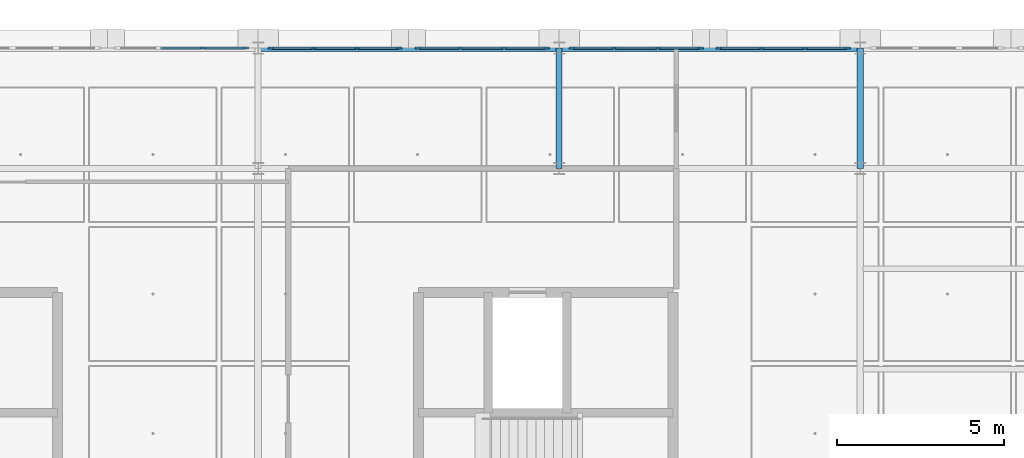
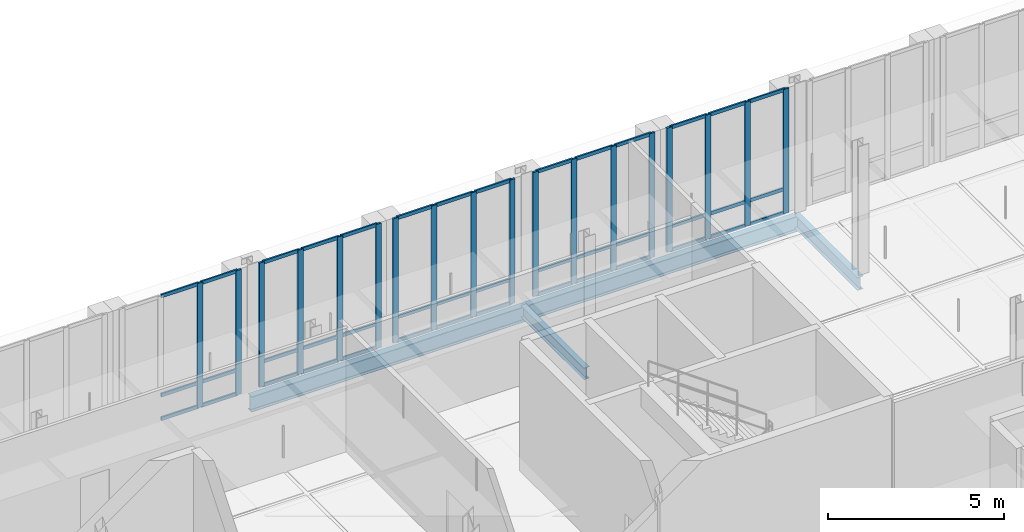
# One storey, part 52 of 130: 60 members, 4 beams, 5 elements without a shape of their own.
"""IFC4 building model written with IfcOpenShell, lengths in metres."""

import ifcopenshell
import ifcopenshell.guid

model = None  # the IFC model being written
_history = None  # IfcOwnerHistory: only IFC2X3 demands one
_inside = {}  # id of a spatial element -> (the spatial element, [elements in it])
_under = {}  # id of a project, library or spatial element -> (it, [spatial elements below it])
_declared = {}  # id of a project -> (the project, [libraries it declares])
_typed = {}  # id of a type object -> (the type object, [elements of that type])
_made_of = {}  # id of a material, layer set ... -> (it, [elements and type objects made of it])


def new_model(schema):
    """Start an empty IFC model of exactly this schema.

    Asked for "IFC4X3", IfcOpenShell would pick the latest addendum, in which some entities
    have other attributes; the version numbers below select the first issue.
    IFC2X3 requires an IfcOwnerHistory on every rooted entity: one is made here for all.
    """
    global model, _history
    if schema == "IFC4X3":
        model = ifcopenshell.file(schema_version=(4, 3, 0, 0))
    else:
        model = ifcopenshell.file(schema=schema)
    _inside.clear()
    _under.clear()
    _declared.clear()
    _typed.clear()
    _made_of.clear()
    _history = None
    if model.schema == "IFC2X3":
        org = make("IfcOrganization", Name="unknown")
        user = make(
            "IfcPersonAndOrganization",
            ThePerson=make("IfcPerson", FamilyName="unknown"),
            TheOrganization=org,
        )
        app = make(
            "IfcApplication",
            ApplicationDeveloper=org,
            Version="unknown",
            ApplicationFullName="unknown",
            ApplicationIdentifier="unknown",
        )
        _history = make(
            "IfcOwnerHistory",
            OwningUser=user,
            OwningApplication=app,
            ChangeAction="ADDED",
            CreationDate=0,
        )
    return model


def make(cls, **values):
    """One entity of the class cls with the attributes given. An attribute that is None is left unset."""
    return model.create_entity(
        cls, **{name: value for name, value in values.items() if value is not None}
    )


def rooted(cls, **values):
    """An entity with a GlobalId (a new one), such as an element, a storey or a relation."""
    return make(cls, GlobalId=ifcopenshell.guid.new(), OwnerHistory=_history, **values)


def si_unit(unit_type, name, prefix=None):
    """IfcSIUnit, for example si_unit("LENGTHUNIT", "METRE", prefix="MILLI")."""
    return make("IfcSIUnit", UnitType=unit_type, Prefix=prefix, Name=name)


def assignment(units):
    """IfcUnitAssignment: the units of a project."""
    return None if units is None else make("IfcUnitAssignment", Units=units)


def point(xyz):
    """IfcCartesianPoint."""
    return None if xyz is None else make("IfcCartesianPoint", Coordinates=xyz)


def direction(xyz):
    """IfcDirection."""
    return None if xyz is None else make("IfcDirection", DirectionRatios=xyz)


def frame(location, z_axis=None, x_axis=None):
    """IfcAxis2Placement3D, a coordinate frame: its origin and axes. An axis left out is left unset."""
    return make(
        "IfcAxis2Placement3D",
        Location=point(location),
        Axis=direction(z_axis),
        RefDirection=direction(x_axis),
    )


def frame_2d(location, x_axis=None):
    """IfcAxis2Placement2D, a coordinate frame in the plane: its origin and x axis."""
    return make(
        "IfcAxis2Placement2D", Location=point(location), RefDirection=direction(x_axis)
    )


def origin():
    """The frame at (0, 0, 0) with its axes left unset."""
    return frame((0.0, 0.0, 0.0))


def origin_2d():
    """The frame at (0, 0) in the plane with its x axis left unset."""
    return frame_2d((0.0, 0.0))


def place(relative_to, where):
    """IfcLocalPlacement: puts the frame where relative to a parent placement (None: the world)."""
    return make(
        "IfcLocalPlacement", PlacementRelTo=relative_to, RelativePlacement=where
    )


def context(
    kind, dimensions, precision=None, world=None, true_north=None, identifier=None
):
    """IfcGeometricRepresentationContext, for example the 3D "Model" context."""
    return make(
        "IfcGeometricRepresentationContext",
        ContextIdentifier=identifier,
        ContextType=kind,
        CoordinateSpaceDimension=dimensions,
        Precision=precision,
        WorldCoordinateSystem=world,
        TrueNorth=true_north,
    )


def subcontext(parent, identifier, kind, view, scale=None):
    """IfcGeometricRepresentationSubContext, for example "Body" below "Model"."""
    return make(
        "IfcGeometricRepresentationSubContext",
        ContextIdentifier=identifier,
        ContextType=kind,
        ParentContext=parent,
        TargetScale=scale,
        TargetView=view,
    )


def project(units=None, contexts=None):
    """IfcProject with its units and contexts."""
    return rooted(
        "IfcProject",
        Name="project",
        RepresentationContexts=contexts,
        UnitsInContext=assignment(units),
    )


def spatial(cls, under=None, at=None, **own):
    """A site, building, storey or space (cls), placed at a placement, below another one or the project."""
    s = rooted(cls, ObjectPlacement=at, **own)
    if under is not None:
        _under.setdefault(under.id(), (under, []))[1].append(s)
    return s


def profile(cls, at=None, kind="AREA", **sizes):
    """A parametric profile (cls). Its sizes go by their IFC names, for example OverallWidth=200.0."""
    return make(cls, ProfileType=kind, Position=at, **sizes)


def rectangle(**sizes):
    """IfcRectangleProfileDef."""
    return profile("IfcRectangleProfileDef", **sizes)


def i_section(**sizes):
    """IfcIShapeProfileDef."""
    return profile("IfcIShapeProfileDef", **sizes)


def extrude(swept, where, along, depth):
    """IfcExtrudedAreaSolid: the profile swept, set in the frame where, extruded along a direction by depth."""
    return make(
        "IfcExtrudedAreaSolid",
        SweptArea=swept,
        Position=where,
        ExtrudedDirection=direction(along),
        Depth=depth,
    )


def shape(context_of_items, identifier, shape_type, items):
    """IfcShapeRepresentation: the items that make up one representation, for example the "Body"."""
    return make(
        "IfcShapeRepresentation",
        ContextOfItems=context_of_items,
        RepresentationIdentifier=identifier,
        RepresentationType=shape_type,
        Items=items,
    )


def material(Name=None, Category=None):
    """IfcMaterial."""
    return make("IfcMaterial", Name=Name, Category=Category)


def material_profile(
    of_material, cross_section, Name=None, Category=None, Priority=None
):
    """IfcMaterialProfile: a cross section and its material."""
    return make(
        "IfcMaterialProfile",
        Name=Name,
        Material=of_material,
        Profile=cross_section,
        Priority=Priority,
        Category=Category,
    )


def profile_set(profiles, Name=None, composite=None):
    """IfcMaterialProfileSet."""
    return make(
        "IfcMaterialProfileSet",
        Name=Name,
        MaterialProfiles=profiles,
        CompositeProfile=composite,
    )


def made_of(thing, what):
    """Note that an element or type object is made of a material, layer set ...; save() writes the relation."""
    if what is not None:
        _made_of.setdefault(what.id(), (what, []))[1].append(thing)
    return thing


def type_object(cls, material=None, **own):
    """A type object (cls), such as IfcWallType, which elements share."""
    return made_of(rooted(cls, **own), material)


def element(
    cls,
    number,
    at=None,
    inside=None,
    cuts=None,
    type_object=None,
    material=None,
    context=None,
    identifier="Body",
    shape_type=None,
    held_by="IfcProductDefinitionShape",
    body=None,
    shapes=None,
    **own,
):
    """One element of the class cls, such as IfcWall. Its Tag is "e" and its number.

    at: its placement. inside: the storey or other place that contains it. cuts: it is an
    opening in that element (IfcRelVoidsElement). A single representation is given by context,
    identifier, shape_type and body (its items); several are given by shapes. held_by: the class
    of the entity that holds the representations. save() writes the other relations.
    """
    e = rooted(cls, Tag="e%d" % number, ObjectPlacement=at, **own)
    if body is not None:
        shapes = [shape(context, identifier, shape_type, body)]
    if shapes is not None:
        e.Representation = make(held_by, Representations=shapes)
    if inside is not None:
        _inside.setdefault(inside.id(), (inside, []))[1].append(e)
    if cuts is not None:
        rooted(
            "IfcRelVoidsElement", RelatingBuildingElement=cuts, RelatedOpeningElement=e
        )
    if type_object is not None:
        _typed.setdefault(type_object.id(), (type_object, []))[1].append(e)
    return made_of(e, material)


def aggregate(whole, parts):
    """IfcRelAggregates: a whole, such as a stair, and the parts it consists of."""
    return rooted("IfcRelAggregates", RelatingObject=whole, RelatedObjects=parts)


def save(model, path):
    """Write the relations noted so far, then the file.

    IfcRelAggregates (storeys below a building ...), IfcRelContainedInSpatialStructure (elements
    in a storey), IfcRelDefinesByType, IfcRelAssociatesMaterial and IfcRelDeclares: one each for
    every whole, place, type object, material and project.
    """
    for whole, parts in _under.values():
        aggregate(whole, parts)
    for where, things in _inside.values():
        rooted(
            "IfcRelContainedInSpatialStructure",
            RelatedElements=things,
            RelatingStructure=where,
        )
    for kind, things in _typed.values():
        rooted("IfcRelDefinesByType", RelatedObjects=things, RelatingType=kind)
    for what, things in _made_of.values():
        rooted("IfcRelAssociatesMaterial", RelatedObjects=things, RelatingMaterial=what)
    for by, libraries in _declared.values():
        rooted("IfcRelDeclares", RelatingContext=by, RelatedDefinitions=libraries)
    model.write(path)


model = new_model("IFC4")

# Units and contexts
model_context = context("Model", 3, precision=1e-05, world=origin(), true_north=direction((0.0, 1.0)))
body_context = subcontext(model_context, "Body", "Model", "MODEL_VIEW")
ifc_project = project(units=[si_unit("LENGTHUNIT", "METRE"), si_unit("AREAUNIT", "SQUARE_METRE"), si_unit("VOLUMEUNIT", "CUBIC_METRE"), si_unit("PLANEANGLEUNIT", "RADIAN"), si_unit("MASSUNIT", "GRAM", prefix="KILO"), si_unit("THERMODYNAMICTEMPERATUREUNIT", "KELVIN"), si_unit("POWERUNIT", "WATT")], contexts=[model_context])

# Site, building, storey
site_placement = place(None, origin())
site = spatial("IfcSite", under=ifc_project, at=site_placement, CompositionType="ELEMENT")
building_placement = place(site_placement, origin())
building = spatial("IfcBuilding", under=site, at=building_placement, Name="Tallowbark Science Centre", CompositionType="ELEMENT")
storey_placement = place(building_placement, frame((0.0, 0.0, 5.39990234375)))
storey = spatial("IfcBuildingStorey", under=building, at=storey_placement, Name="L01", CompositionType="ELEMENT", Elevation=5.39990234375)

# Beam
ifc_material_1 = material(Name="Structural Steel Grade 300PLUS (300 MPa)", Category="steel")
ifc_material_profile_1 = material_profile(ifc_material_1, i_section(OverallWidth=0.177734375, OverallDepth=0.406494140625, WebThickness=0.0078125, FlangeThickness=0.0126953125, FilletRadius=0.011474609375, at=origin_2d()), Name="410UB59.7")
ifc_profile_set_1 = profile_set([ifc_material_profile_1], Name="Structural Steel Grade 300PLUS (300 MPa)")
beam_type_1 = type_object("IfcBeamType", Name="BM-UB410", PredefinedType="BEAM", material=ifc_profile_set_1)
beam_1_placement = place(storey_placement, frame((139.5, 108.0, -0.383056640625), z_axis=(0.0, 1.0, 0.0), x_axis=(-1.0, 0.0, 0.0)))
element("IfcBeam", 1, at=beam_1_placement, inside=storey, type_object=beam_type_1, Name="Primary Girder GRDY-L01-1395-1080-1116", PredefinedType="BEAM", context=body_context, shape_type="SweptSolid", body=[
    extrude(i_section(OverallWidth=0.177734375, OverallDepth=0.406494140625, WebThickness=0.0078125, FlangeThickness=0.0126953125, FilletRadius=0.011474609375, at=origin_2d()), origin(), (0.0, 0.0, 1.0), 3.60009765625),
])

# Curtain wall, members
ifc_material_2 = material(Name="Unitised Thermally Broken Aluminium and Low-E Double Glazing", Category="aluminium")
curtain_wall_type = type_object("IfcCurtainWallType", Name="CW-SYS-FACADE", PredefinedType="NOTDEFINED", material=ifc_material_2)
curtain_wall_1_placement = place(storey_placement, origin())
curtain_wall_1 = element("IfcCurtainWall", 2, at=curtain_wall_1_placement, inside=storey, type_object=curtain_wall_type, Name="Unitised Curtain Wall OBS-N-121A CW-L01-118", PredefinedType="NOTDEFINED")
ifc_material_3 = material(Name="Anodised Architectural Aluminium Alloy 6063-T6", Category="aluminium")
ifc_material_profile_2 = material_profile(ifc_material_3, rectangle(XDim=0.06494140625, YDim=0.179931640625, at=origin_2d()), Name="ALU65x180")
ifc_profile_set_2 = profile_set([ifc_material_profile_2], Name="Anodised Architectural Aluminium Alloy 6063-T6")
member_type_1 = type_object("IfcMemberType", Name="CWM-MUL-220", PredefinedType="MULLION", material=ifc_profile_set_2)
member_1_placement = place(storey_placement, frame((130.117431640625, 111.60009765625, 0.0), z_axis=(0.0, 0.0, 1.0), x_axis=(0.0, -1.0, 0.0)))
member_1 = element("IfcMember", 3, at=member_1_placement, type_object=member_type_1, Name="CW-01 mullion 1", PredefinedType="MULLION", context=body_context, shape_type="SweptSolid", body=[
    extrude(rectangle(XDim=0.06494140625, YDim=0.179931640625, at=origin_2d()), origin(), (0.0, 0.0, 1.0), 4.320068359375),
])
member_2_placement = place(storey_placement, frame((128.85009765625, 111.60009765625, 0.0), z_axis=(0.0, 0.0, 1.0), x_axis=(0.0, -1.0, 0.0)))
member_2 = element("IfcMember", 4, at=member_2_placement, type_object=member_type_1, Name="CW-01 mullion 2", PredefinedType="MULLION", context=body_context, shape_type="SweptSolid", body=[
    extrude(rectangle(XDim=0.06494140625, YDim=0.179931640625, at=origin_2d()), origin(), (0.0, 0.0, 1.0), 4.320068359375),
])

curtain_wall_2_placement = place(storey_placement, origin())
curtain_wall_2 = element("IfcCurtainWall", 5, at=curtain_wall_2_placement, inside=storey, type_object=curtain_wall_type, Name="Unitised Curtain Wall OBS-N-130A CW-L01-122", PredefinedType="NOTDEFINED")
member_3_placement = place(storey_placement, frame((139.117431640625, 111.60009765625, 0.0), z_axis=(0.0, 0.0, 1.0), x_axis=(0.0, -1.0, 0.0)))
member_3 = element("IfcMember", 6, at=member_3_placement, type_object=member_type_1, Name="CW-01 mullion 1", PredefinedType="MULLION", context=body_context, shape_type="SweptSolid", body=[
    extrude(rectangle(XDim=0.06494140625, YDim=0.179931640625, at=origin_2d()), origin(), (0.0, 0.0, 1.0), 4.320068359375),
])
member_4_placement = place(storey_placement, frame((137.85009765625, 111.60009765625, 0.0), z_axis=(0.0, 0.0, 1.0), x_axis=(0.0, -1.0, 0.0)))
member_4 = element("IfcMember", 7, at=member_4_placement, type_object=member_type_1, Name="CW-01 mullion 2", PredefinedType="MULLION", context=body_context, shape_type="SweptSolid", body=[
    extrude(rectangle(XDim=0.06494140625, YDim=0.179931640625, at=origin_2d()), origin(), (0.0, 0.0, 1.0), 4.320068359375),
])
member_5_placement = place(storey_placement, frame((136.550048828125, 111.60009765625, 0.0), z_axis=(0.0, 0.0, 1.0), x_axis=(0.0, -1.0, 0.0)))
member_5 = element("IfcMember", 8, at=member_5_placement, type_object=member_type_1, Name="CW-01 mullion 3", PredefinedType="MULLION", context=body_context, shape_type="SweptSolid", body=[
    extrude(rectangle(XDim=0.06494140625, YDim=0.179931640625, at=origin_2d()), origin(), (0.0, 0.0, 1.0), 4.320068359375),
])
member_6_placement = place(storey_placement, frame((135.282470703125, 111.60009765625, 0.0), z_axis=(0.0, 0.0, 1.0), x_axis=(0.0, -1.0, 0.0)))
member_6 = element("IfcMember", 9, at=member_6_placement, type_object=member_type_1, Name="CW-01 mullion 4", PredefinedType="MULLION", context=body_context, shape_type="SweptSolid", body=[
    extrude(rectangle(XDim=0.06494140625, YDim=0.179931640625, at=origin_2d()), origin(), (0.0, 0.0, 1.0), 4.320068359375),
])

curtain_wall_3_placement = place(storey_placement, origin())
curtain_wall_3 = element("IfcCurtainWall", 10, at=curtain_wall_3_placement, inside=storey, type_object=curtain_wall_type, Name="Unitised Curtain Wall OBS-N-130B CW-L01-123", PredefinedType="NOTDEFINED")
member_7_placement = place(storey_placement, frame((134.717529296875, 111.60009765625, 0.0), z_axis=(0.0, 0.0, 1.0), x_axis=(0.0, -1.0, 0.0)))
member_7 = element("IfcMember", 11, at=member_7_placement, type_object=member_type_1, Name="CW-01 mullion 1", PredefinedType="MULLION", context=body_context, shape_type="SweptSolid", body=[
    extrude(rectangle(XDim=0.06494140625, YDim=0.179931640625, at=origin_2d()), origin(), (0.0, 0.0, 1.0), 4.320068359375),
])
member_8_placement = place(storey_placement, frame((133.449951171875, 111.60009765625, 0.0), z_axis=(0.0, 0.0, 1.0), x_axis=(0.0, -1.0, 0.0)))
member_8 = element("IfcMember", 12, at=member_8_placement, type_object=member_type_1, Name="CW-01 mullion 2", PredefinedType="MULLION", context=body_context, shape_type="SweptSolid", body=[
    extrude(rectangle(XDim=0.06494140625, YDim=0.179931640625, at=origin_2d()), origin(), (0.0, 0.0, 1.0), 4.320068359375),
])
member_9_placement = place(storey_placement, frame((132.14990234375, 111.60009765625, 0.0), z_axis=(0.0, 0.0, 1.0), x_axis=(0.0, -1.0, 0.0)))
member_9 = element("IfcMember", 13, at=member_9_placement, type_object=member_type_1, Name="CW-01 mullion 3", PredefinedType="MULLION", context=body_context, shape_type="SweptSolid", body=[
    extrude(rectangle(XDim=0.06494140625, YDim=0.179931640625, at=origin_2d()), origin(), (0.0, 0.0, 1.0), 4.320068359375),
])
member_10_placement = place(storey_placement, frame((130.882568359375, 111.60009765625, 0.0), z_axis=(0.0, 0.0, 1.0), x_axis=(0.0, -1.0, 0.0)))
member_10 = element("IfcMember", 14, at=member_10_placement, type_object=member_type_1, Name="CW-01 mullion 4", PredefinedType="MULLION", context=body_context, shape_type="SweptSolid", body=[
    extrude(rectangle(XDim=0.06494140625, YDim=0.179931640625, at=origin_2d()), origin(), (0.0, 0.0, 1.0), 4.320068359375),
])

curtain_wall_4_placement = place(storey_placement, origin())
curtain_wall_4 = element("IfcCurtainWall", 15, at=curtain_wall_4_placement, inside=storey, type_object=curtain_wall_type, Name="Unitised Curtain Wall OBS-N-139A CW-L01-126", PredefinedType="NOTDEFINED")
member_11_placement = place(storey_placement, frame((148.117431640625, 111.60009765625, 0.0), z_axis=(0.0, 0.0, 1.0), x_axis=(0.0, -1.0, 0.0)))
member_11 = element("IfcMember", 16, at=member_11_placement, type_object=member_type_1, Name="CW-01 mullion 1", PredefinedType="MULLION", context=body_context, shape_type="SweptSolid", body=[
    extrude(rectangle(XDim=0.06494140625, YDim=0.179931640625, at=origin_2d()), origin(), (0.0, 0.0, 1.0), 4.320068359375),
])
member_12_placement = place(storey_placement, frame((146.85009765625, 111.60009765625, 0.0), z_axis=(0.0, 0.0, 1.0), x_axis=(0.0, -1.0, 0.0)))
member_12 = element("IfcMember", 17, at=member_12_placement, type_object=member_type_1, Name="CW-01 mullion 2", PredefinedType="MULLION", context=body_context, shape_type="SweptSolid", body=[
    extrude(rectangle(XDim=0.06494140625, YDim=0.179931640625, at=origin_2d()), origin(), (0.0, 0.0, 1.0), 4.320068359375),
])
member_13_placement = place(storey_placement, frame((145.550048828125, 111.60009765625, 0.0), z_axis=(0.0, 0.0, 1.0), x_axis=(0.0, -1.0, 0.0)))
member_13 = element("IfcMember", 18, at=member_13_placement, type_object=member_type_1, Name="CW-01 mullion 3", PredefinedType="MULLION", context=body_context, shape_type="SweptSolid", body=[
    extrude(rectangle(XDim=0.06494140625, YDim=0.179931640625, at=origin_2d()), origin(), (0.0, 0.0, 1.0), 4.320068359375),
])
member_14_placement = place(storey_placement, frame((144.282470703125, 111.60009765625, 0.0), z_axis=(0.0, 0.0, 1.0), x_axis=(0.0, -1.0, 0.0)))
member_14 = element("IfcMember", 19, at=member_14_placement, type_object=member_type_1, Name="CW-01 mullion 4", PredefinedType="MULLION", context=body_context, shape_type="SweptSolid", body=[
    extrude(rectangle(XDim=0.06494140625, YDim=0.179931640625, at=origin_2d()), origin(), (0.0, 0.0, 1.0), 4.320068359375),
])

curtain_wall_5_placement = place(storey_placement, origin())
curtain_wall_5 = element("IfcCurtainWall", 20, at=curtain_wall_5_placement, inside=storey, type_object=curtain_wall_type, Name="Unitised Curtain Wall OBS-N-139B CW-L01-127", PredefinedType="NOTDEFINED")
member_15_placement = place(storey_placement, frame((143.717529296875, 111.60009765625, 0.0), z_axis=(0.0, 0.0, 1.0), x_axis=(0.0, -1.0, 0.0)))
member_15 = element("IfcMember", 21, at=member_15_placement, type_object=member_type_1, Name="CW-01 mullion 1", PredefinedType="MULLION", context=body_context, shape_type="SweptSolid", body=[
    extrude(rectangle(XDim=0.06494140625, YDim=0.179931640625, at=origin_2d()), origin(), (0.0, 0.0, 1.0), 4.320068359375),
])
member_16_placement = place(storey_placement, frame((142.449951171875, 111.60009765625, 0.0), z_axis=(0.0, 0.0, 1.0), x_axis=(0.0, -1.0, 0.0)))
member_16 = element("IfcMember", 22, at=member_16_placement, type_object=member_type_1, Name="CW-01 mullion 2", PredefinedType="MULLION", context=body_context, shape_type="SweptSolid", body=[
    extrude(rectangle(XDim=0.06494140625, YDim=0.179931640625, at=origin_2d()), origin(), (0.0, 0.0, 1.0), 4.320068359375),
])
member_17_placement = place(storey_placement, frame((141.14990234375, 111.60009765625, 0.0), z_axis=(0.0, 0.0, 1.0), x_axis=(0.0, -1.0, 0.0)))
member_17 = element("IfcMember", 23, at=member_17_placement, type_object=member_type_1, Name="CW-01 mullion 3", PredefinedType="MULLION", context=body_context, shape_type="SweptSolid", body=[
    extrude(rectangle(XDim=0.06494140625, YDim=0.179931640625, at=origin_2d()), origin(), (0.0, 0.0, 1.0), 4.320068359375),
])
member_18_placement = place(storey_placement, frame((139.882568359375, 111.60009765625, 0.0), z_axis=(0.0, 0.0, 1.0), x_axis=(0.0, -1.0, 0.0)))
member_18 = element("IfcMember", 24, at=member_18_placement, type_object=member_type_1, Name="CW-01 mullion 4", PredefinedType="MULLION", context=body_context, shape_type="SweptSolid", body=[
    extrude(rectangle(XDim=0.06494140625, YDim=0.179931640625, at=origin_2d()), origin(), (0.0, 0.0, 1.0), 4.320068359375),
])

# Member
ifc_material_profile_3 = material_profile(ifc_material_3, rectangle(XDim=0.054931640625, YDim=0.1201171875, at=origin_2d()), Name="ALU55x120")
ifc_profile_set_3 = profile_set([ifc_material_profile_3], Name="Anodised Architectural Aluminium Alloy 6063-T6")
member_type_2 = type_object("IfcMemberType", Name="CWM-TRN-150", PredefinedType="USERDEFINED", material=ifc_profile_set_3)
member_19_placement = place(storey_placement, frame((130.0849609375, 111.60009765625, 0.027587890625), z_axis=(-1.0, 0.0, 0.0), x_axis=(0.0, -1.0, 0.0)))
member_19 = element("IfcMember", 25, at=member_19_placement, type_object=member_type_2, Name="CW-01 transom 1.1", ObjectType="TRANSOM", PredefinedType="USERDEFINED", context=body_context, shape_type="SweptSolid", body=[
    extrude(rectangle(XDim=0.054931640625, YDim=0.1201171875, at=origin_2d()), origin(), (0.0, 0.0, 1.0), 1.202392578125),
])

member_20_placement = place(storey_placement, frame((130.0849609375, 111.60009765625, 0.85009765625), z_axis=(-1.0, 0.0, 0.0), x_axis=(0.0, -1.0, 0.0)))
member_20 = element("IfcMember", 26, at=member_20_placement, type_object=member_type_2, Name="CW-01 transom 1.2", ObjectType="TRANSOM", PredefinedType="USERDEFINED", context=body_context, shape_type="SweptSolid", body=[
    extrude(rectangle(XDim=0.054931640625, YDim=0.1201171875, at=origin_2d()), origin(), (0.0, 0.0, 1.0), 1.202392578125),
])

member_21_placement = place(storey_placement, frame((130.0849609375, 111.60009765625, 4.29248046875), z_axis=(-1.0, 0.0, 0.0), x_axis=(0.0, -1.0, 0.0)))
member_21 = element("IfcMember", 27, at=member_21_placement, type_object=member_type_2, Name="CW-01 transom 1.3", ObjectType="TRANSOM", PredefinedType="USERDEFINED", context=body_context, shape_type="SweptSolid", body=[
    extrude(rectangle(XDim=0.054931640625, YDim=0.1201171875, at=origin_2d()), origin(), (0.0, 0.0, 1.0), 1.202392578125),
])

member_22_placement = place(storey_placement, frame((128.8173828125, 111.60009765625, 0.027587890625), z_axis=(-1.0, 0.0, 0.0), x_axis=(0.0, -1.0, 0.0)))
member_22 = element("IfcMember", 28, at=member_22_placement, type_object=member_type_2, Name="CW-01 transom 2.1", ObjectType="TRANSOM", PredefinedType="USERDEFINED", context=body_context, shape_type="SweptSolid", body=[
    extrude(rectangle(XDim=0.054931640625, YDim=0.1201171875, at=origin_2d()), origin(), (0.0, 0.0, 1.0), 1.23486328125),
])

member_23_placement = place(storey_placement, frame((128.8173828125, 111.60009765625, 0.85009765625), z_axis=(-1.0, 0.0, 0.0), x_axis=(0.0, -1.0, 0.0)))
member_23 = element("IfcMember", 29, at=member_23_placement, type_object=member_type_2, Name="CW-01 transom 2.2", ObjectType="TRANSOM", PredefinedType="USERDEFINED", context=body_context, shape_type="SweptSolid", body=[
    extrude(rectangle(XDim=0.054931640625, YDim=0.1201171875, at=origin_2d()), origin(), (0.0, 0.0, 1.0), 1.23486328125),
])

member_24_placement = place(storey_placement, frame((128.8173828125, 111.60009765625, 4.29248046875), z_axis=(-1.0, 0.0, 0.0), x_axis=(0.0, -1.0, 0.0)))
member_24 = element("IfcMember", 30, at=member_24_placement, type_object=member_type_2, Name="CW-01 transom 2.3", ObjectType="TRANSOM", PredefinedType="USERDEFINED", context=body_context, shape_type="SweptSolid", body=[
    extrude(rectangle(XDim=0.054931640625, YDim=0.1201171875, at=origin_2d()), origin(), (0.0, 0.0, 1.0), 1.23486328125),
])

aggregate(curtain_wall_1, [member_1, member_2, member_19, member_20, member_21, member_22, member_23, member_24])

member_25_placement = place(storey_placement, frame((139.0849609375, 111.60009765625, 0.027587890625), z_axis=(-1.0, 0.0, 0.0), x_axis=(0.0, -1.0, 0.0)))
member_25 = element("IfcMember", 31, at=member_25_placement, type_object=member_type_2, Name="CW-01 transom 1.1", ObjectType="TRANSOM", PredefinedType="USERDEFINED", context=body_context, shape_type="SweptSolid", body=[
    extrude(rectangle(XDim=0.054931640625, YDim=0.1201171875, at=origin_2d()), origin(), (0.0, 0.0, 1.0), 1.202392578125),
])

member_26_placement = place(storey_placement, frame((139.0849609375, 111.60009765625, 0.85009765625), z_axis=(-1.0, 0.0, 0.0), x_axis=(0.0, -1.0, 0.0)))
member_26 = element("IfcMember", 32, at=member_26_placement, type_object=member_type_2, Name="CW-01 transom 1.2", ObjectType="TRANSOM", PredefinedType="USERDEFINED", context=body_context, shape_type="SweptSolid", body=[
    extrude(rectangle(XDim=0.054931640625, YDim=0.1201171875, at=origin_2d()), origin(), (0.0, 0.0, 1.0), 1.202392578125),
])

member_27_placement = place(storey_placement, frame((139.0849609375, 111.60009765625, 4.29248046875), z_axis=(-1.0, 0.0, 0.0), x_axis=(0.0, -1.0, 0.0)))
member_27 = element("IfcMember", 33, at=member_27_placement, type_object=member_type_2, Name="CW-01 transom 1.3", ObjectType="TRANSOM", PredefinedType="USERDEFINED", context=body_context, shape_type="SweptSolid", body=[
    extrude(rectangle(XDim=0.054931640625, YDim=0.1201171875, at=origin_2d()), origin(), (0.0, 0.0, 1.0), 1.202392578125),
])

member_28_placement = place(storey_placement, frame((137.8173828125, 111.60009765625, 0.027587890625), z_axis=(-1.0, 0.0, 0.0), x_axis=(0.0, -1.0, 0.0)))
member_28 = element("IfcMember", 34, at=member_28_placement, type_object=member_type_2, Name="CW-01 transom 2.1", ObjectType="TRANSOM", PredefinedType="USERDEFINED", context=body_context, shape_type="SweptSolid", body=[
    extrude(rectangle(XDim=0.054931640625, YDim=0.1201171875, at=origin_2d()), origin(), (0.0, 0.0, 1.0), 1.23486328125),
])

member_29_placement = place(storey_placement, frame((137.8173828125, 111.60009765625, 0.85009765625), z_axis=(-1.0, 0.0, 0.0), x_axis=(0.0, -1.0, 0.0)))
member_29 = element("IfcMember", 35, at=member_29_placement, type_object=member_type_2, Name="CW-01 transom 2.2", ObjectType="TRANSOM", PredefinedType="USERDEFINED", context=body_context, shape_type="SweptSolid", body=[
    extrude(rectangle(XDim=0.054931640625, YDim=0.1201171875, at=origin_2d()), origin(), (0.0, 0.0, 1.0), 1.23486328125),
])

member_30_placement = place(storey_placement, frame((137.8173828125, 111.60009765625, 4.29248046875), z_axis=(-1.0, 0.0, 0.0), x_axis=(0.0, -1.0, 0.0)))
member_30 = element("IfcMember", 36, at=member_30_placement, type_object=member_type_2, Name="CW-01 transom 2.3", ObjectType="TRANSOM", PredefinedType="USERDEFINED", context=body_context, shape_type="SweptSolid", body=[
    extrude(rectangle(XDim=0.054931640625, YDim=0.1201171875, at=origin_2d()), origin(), (0.0, 0.0, 1.0), 1.23486328125),
])

member_31_placement = place(storey_placement, frame((136.517578125, 111.60009765625, 0.027587890625), z_axis=(-1.0, 0.0, 0.0), x_axis=(0.0, -1.0, 0.0)))
member_31 = element("IfcMember", 37, at=member_31_placement, type_object=member_type_2, Name="CW-01 transom 3.1", ObjectType="TRANSOM", PredefinedType="USERDEFINED", context=body_context, shape_type="SweptSolid", body=[
    extrude(rectangle(XDim=0.054931640625, YDim=0.1201171875, at=origin_2d()), origin(), (0.0, 0.0, 1.0), 1.20263671875),
])

member_32_placement = place(storey_placement, frame((136.517578125, 111.60009765625, 0.85009765625), z_axis=(-1.0, 0.0, 0.0), x_axis=(0.0, -1.0, 0.0)))
member_32 = element("IfcMember", 38, at=member_32_placement, type_object=member_type_2, Name="CW-01 transom 3.2", ObjectType="TRANSOM", PredefinedType="USERDEFINED", context=body_context, shape_type="SweptSolid", body=[
    extrude(rectangle(XDim=0.054931640625, YDim=0.1201171875, at=origin_2d()), origin(), (0.0, 0.0, 1.0), 1.20263671875),
])

member_33_placement = place(storey_placement, frame((136.517578125, 111.60009765625, 4.29248046875), z_axis=(-1.0, 0.0, 0.0), x_axis=(0.0, -1.0, 0.0)))
member_33 = element("IfcMember", 39, at=member_33_placement, type_object=member_type_2, Name="CW-01 transom 3.3", ObjectType="TRANSOM", PredefinedType="USERDEFINED", context=body_context, shape_type="SweptSolid", body=[
    extrude(rectangle(XDim=0.054931640625, YDim=0.1201171875, at=origin_2d()), origin(), (0.0, 0.0, 1.0), 1.20263671875),
])

aggregate(curtain_wall_2, [member_3, member_4, member_5, member_6, member_25, member_26, member_27, member_28, member_29, member_30, member_31, member_32, member_33])

member_34_placement = place(storey_placement, frame((134.68505859375, 111.60009765625, 0.027587890625), z_axis=(-1.0, 0.0, 0.0), x_axis=(0.0, -1.0, 0.0)))
member_34 = element("IfcMember", 40, at=member_34_placement, type_object=member_type_2, Name="CW-01 transom 1.1", ObjectType="TRANSOM", PredefinedType="USERDEFINED", context=body_context, shape_type="SweptSolid", body=[
    extrude(rectangle(XDim=0.054931640625, YDim=0.1201171875, at=origin_2d()), origin(), (0.0, 0.0, 1.0), 1.20263671875),
])

member_35_placement = place(storey_placement, frame((134.68505859375, 111.60009765625, 0.85009765625), z_axis=(-1.0, 0.0, 0.0), x_axis=(0.0, -1.0, 0.0)))
member_35 = element("IfcMember", 41, at=member_35_placement, type_object=member_type_2, Name="CW-01 transom 1.2", ObjectType="TRANSOM", PredefinedType="USERDEFINED", context=body_context, shape_type="SweptSolid", body=[
    extrude(rectangle(XDim=0.054931640625, YDim=0.1201171875, at=origin_2d()), origin(), (0.0, 0.0, 1.0), 1.20263671875),
])

member_36_placement = place(storey_placement, frame((134.68505859375, 111.60009765625, 4.29248046875), z_axis=(-1.0, 0.0, 0.0), x_axis=(0.0, -1.0, 0.0)))
member_36 = element("IfcMember", 42, at=member_36_placement, type_object=member_type_2, Name="CW-01 transom 1.3", ObjectType="TRANSOM", PredefinedType="USERDEFINED", context=body_context, shape_type="SweptSolid", body=[
    extrude(rectangle(XDim=0.054931640625, YDim=0.1201171875, at=origin_2d()), origin(), (0.0, 0.0, 1.0), 1.20263671875),
])

member_37_placement = place(storey_placement, frame((133.41748046875, 111.60009765625, 0.027587890625), z_axis=(-1.0, 0.0, 0.0), x_axis=(0.0, -1.0, 0.0)))
member_37 = element("IfcMember", 43, at=member_37_placement, type_object=member_type_2, Name="CW-01 transom 2.1", ObjectType="TRANSOM", PredefinedType="USERDEFINED", context=body_context, shape_type="SweptSolid", body=[
    extrude(rectangle(XDim=0.054931640625, YDim=0.1201171875, at=origin_2d()), origin(), (0.0, 0.0, 1.0), 1.23486328125),
])

member_38_placement = place(storey_placement, frame((133.41748046875, 111.60009765625, 0.85009765625), z_axis=(-1.0, 0.0, 0.0), x_axis=(0.0, -1.0, 0.0)))
member_38 = element("IfcMember", 44, at=member_38_placement, type_object=member_type_2, Name="CW-01 transom 2.2", ObjectType="TRANSOM", PredefinedType="USERDEFINED", context=body_context, shape_type="SweptSolid", body=[
    extrude(rectangle(XDim=0.054931640625, YDim=0.1201171875, at=origin_2d()), origin(), (0.0, 0.0, 1.0), 1.23486328125),
])

member_39_placement = place(storey_placement, frame((133.41748046875, 111.60009765625, 4.29248046875), z_axis=(-1.0, 0.0, 0.0), x_axis=(0.0, -1.0, 0.0)))
member_39 = element("IfcMember", 45, at=member_39_placement, type_object=member_type_2, Name="CW-01 transom 2.3", ObjectType="TRANSOM", PredefinedType="USERDEFINED", context=body_context, shape_type="SweptSolid", body=[
    extrude(rectangle(XDim=0.054931640625, YDim=0.1201171875, at=origin_2d()), origin(), (0.0, 0.0, 1.0), 1.23486328125),
])

member_40_placement = place(storey_placement, frame((132.117431640625, 111.60009765625, 0.027587890625), z_axis=(-1.0, 0.0, 0.0), x_axis=(0.0, -1.0, 0.0)))
member_40 = element("IfcMember", 46, at=member_40_placement, type_object=member_type_2, Name="CW-01 transom 3.1", ObjectType="TRANSOM", PredefinedType="USERDEFINED", context=body_context, shape_type="SweptSolid", body=[
    extrude(rectangle(XDim=0.054931640625, YDim=0.1201171875, at=origin_2d()), origin(), (0.0, 0.0, 1.0), 1.202392578125),
])

member_41_placement = place(storey_placement, frame((132.117431640625, 111.60009765625, 0.85009765625), z_axis=(-1.0, 0.0, 0.0), x_axis=(0.0, -1.0, 0.0)))
member_41 = element("IfcMember", 47, at=member_41_placement, type_object=member_type_2, Name="CW-01 transom 3.2", ObjectType="TRANSOM", PredefinedType="USERDEFINED", context=body_context, shape_type="SweptSolid", body=[
    extrude(rectangle(XDim=0.054931640625, YDim=0.1201171875, at=origin_2d()), origin(), (0.0, 0.0, 1.0), 1.202392578125),
])

member_42_placement = place(storey_placement, frame((132.117431640625, 111.60009765625, 4.29248046875), z_axis=(-1.0, 0.0, 0.0), x_axis=(0.0, -1.0, 0.0)))
member_42 = element("IfcMember", 48, at=member_42_placement, type_object=member_type_2, Name="CW-01 transom 3.3", ObjectType="TRANSOM", PredefinedType="USERDEFINED", context=body_context, shape_type="SweptSolid", body=[
    extrude(rectangle(XDim=0.054931640625, YDim=0.1201171875, at=origin_2d()), origin(), (0.0, 0.0, 1.0), 1.202392578125),
])

aggregate(curtain_wall_3, [member_7, member_8, member_9, member_10, member_34, member_35, member_36, member_37, member_38, member_39, member_40, member_41, member_42])

member_43_placement = place(storey_placement, frame((148.0849609375, 111.60009765625, 0.027587890625), z_axis=(-1.0, 0.0, 0.0), x_axis=(0.0, -1.0, 0.0)))
member_43 = element("IfcMember", 49, at=member_43_placement, type_object=member_type_2, Name="CW-01 transom 1.1", ObjectType="TRANSOM", PredefinedType="USERDEFINED", context=body_context, shape_type="SweptSolid", body=[
    extrude(rectangle(XDim=0.054931640625, YDim=0.1201171875, at=origin_2d()), origin(), (0.0, 0.0, 1.0), 1.202392578125),
])

member_44_placement = place(storey_placement, frame((148.0849609375, 111.60009765625, 0.85009765625), z_axis=(-1.0, 0.0, 0.0), x_axis=(0.0, -1.0, 0.0)))
member_44 = element("IfcMember", 50, at=member_44_placement, type_object=member_type_2, Name="CW-01 transom 1.2", ObjectType="TRANSOM", PredefinedType="USERDEFINED", context=body_context, shape_type="SweptSolid", body=[
    extrude(rectangle(XDim=0.054931640625, YDim=0.1201171875, at=origin_2d()), origin(), (0.0, 0.0, 1.0), 1.202392578125),
])

member_45_placement = place(storey_placement, frame((148.0849609375, 111.60009765625, 4.29248046875), z_axis=(-1.0, 0.0, 0.0), x_axis=(0.0, -1.0, 0.0)))
member_45 = element("IfcMember", 51, at=member_45_placement, type_object=member_type_2, Name="CW-01 transom 1.3", ObjectType="TRANSOM", PredefinedType="USERDEFINED", context=body_context, shape_type="SweptSolid", body=[
    extrude(rectangle(XDim=0.054931640625, YDim=0.1201171875, at=origin_2d()), origin(), (0.0, 0.0, 1.0), 1.202392578125),
])

member_46_placement = place(storey_placement, frame((146.8173828125, 111.60009765625, 0.027587890625), z_axis=(-1.0, 0.0, 0.0), x_axis=(0.0, -1.0, 0.0)))
member_46 = element("IfcMember", 52, at=member_46_placement, type_object=member_type_2, Name="CW-01 transom 2.1", ObjectType="TRANSOM", PredefinedType="USERDEFINED", context=body_context, shape_type="SweptSolid", body=[
    extrude(rectangle(XDim=0.054931640625, YDim=0.1201171875, at=origin_2d()), origin(), (0.0, 0.0, 1.0), 1.23486328125),
])

member_47_placement = place(storey_placement, frame((146.8173828125, 111.60009765625, 0.85009765625), z_axis=(-1.0, 0.0, 0.0), x_axis=(0.0, -1.0, 0.0)))
member_47 = element("IfcMember", 53, at=member_47_placement, type_object=member_type_2, Name="CW-01 transom 2.2", ObjectType="TRANSOM", PredefinedType="USERDEFINED", context=body_context, shape_type="SweptSolid", body=[
    extrude(rectangle(XDim=0.054931640625, YDim=0.1201171875, at=origin_2d()), origin(), (0.0, 0.0, 1.0), 1.23486328125),
])

member_48_placement = place(storey_placement, frame((146.8173828125, 111.60009765625, 4.29248046875), z_axis=(-1.0, 0.0, 0.0), x_axis=(0.0, -1.0, 0.0)))
member_48 = element("IfcMember", 54, at=member_48_placement, type_object=member_type_2, Name="CW-01 transom 2.3", ObjectType="TRANSOM", PredefinedType="USERDEFINED", context=body_context, shape_type="SweptSolid", body=[
    extrude(rectangle(XDim=0.054931640625, YDim=0.1201171875, at=origin_2d()), origin(), (0.0, 0.0, 1.0), 1.23486328125),
])

member_49_placement = place(storey_placement, frame((145.517578125, 111.60009765625, 0.027587890625), z_axis=(-1.0, 0.0, 0.0), x_axis=(0.0, -1.0, 0.0)))
member_49 = element("IfcMember", 55, at=member_49_placement, type_object=member_type_2, Name="CW-01 transom 3.1", ObjectType="TRANSOM", PredefinedType="USERDEFINED", context=body_context, shape_type="SweptSolid", body=[
    extrude(rectangle(XDim=0.054931640625, YDim=0.1201171875, at=origin_2d()), origin(), (0.0, 0.0, 1.0), 1.20263671875),
])

member_50_placement = place(storey_placement, frame((145.517578125, 111.60009765625, 0.85009765625), z_axis=(-1.0, 0.0, 0.0), x_axis=(0.0, -1.0, 0.0)))
member_50 = element("IfcMember", 56, at=member_50_placement, type_object=member_type_2, Name="CW-01 transom 3.2", ObjectType="TRANSOM", PredefinedType="USERDEFINED", context=body_context, shape_type="SweptSolid", body=[
    extrude(rectangle(XDim=0.054931640625, YDim=0.1201171875, at=origin_2d()), origin(), (0.0, 0.0, 1.0), 1.20263671875),
])

member_51_placement = place(storey_placement, frame((145.517578125, 111.60009765625, 4.29248046875), z_axis=(-1.0, 0.0, 0.0), x_axis=(0.0, -1.0, 0.0)))
member_51 = element("IfcMember", 57, at=member_51_placement, type_object=member_type_2, Name="CW-01 transom 3.3", ObjectType="TRANSOM", PredefinedType="USERDEFINED", context=body_context, shape_type="SweptSolid", body=[
    extrude(rectangle(XDim=0.054931640625, YDim=0.1201171875, at=origin_2d()), origin(), (0.0, 0.0, 1.0), 1.20263671875),
])

aggregate(curtain_wall_4, [member_11, member_12, member_13, member_14, member_43, member_44, member_45, member_46, member_47, member_48, member_49, member_50, member_51])

member_52_placement = place(storey_placement, frame((143.68505859375, 111.60009765625, 0.027587890625), z_axis=(-1.0, 0.0, 0.0), x_axis=(0.0, -1.0, 0.0)))
member_52 = element("IfcMember", 58, at=member_52_placement, type_object=member_type_2, Name="CW-01 transom 1.1", ObjectType="TRANSOM", PredefinedType="USERDEFINED", context=body_context, shape_type="SweptSolid", body=[
    extrude(rectangle(XDim=0.054931640625, YDim=0.1201171875, at=origin_2d()), origin(), (0.0, 0.0, 1.0), 1.20263671875),
])

member_53_placement = place(storey_placement, frame((143.68505859375, 111.60009765625, 0.85009765625), z_axis=(-1.0, 0.0, 0.0), x_axis=(0.0, -1.0, 0.0)))
member_53 = element("IfcMember", 59, at=member_53_placement, type_object=member_type_2, Name="CW-01 transom 1.2", ObjectType="TRANSOM", PredefinedType="USERDEFINED", context=body_context, shape_type="SweptSolid", body=[
    extrude(rectangle(XDim=0.054931640625, YDim=0.1201171875, at=origin_2d()), origin(), (0.0, 0.0, 1.0), 1.20263671875),
])

member_54_placement = place(storey_placement, frame((143.68505859375, 111.60009765625, 4.29248046875), z_axis=(-1.0, 0.0, 0.0), x_axis=(0.0, -1.0, 0.0)))
member_54 = element("IfcMember", 60, at=member_54_placement, type_object=member_type_2, Name="CW-01 transom 1.3", ObjectType="TRANSOM", PredefinedType="USERDEFINED", context=body_context, shape_type="SweptSolid", body=[
    extrude(rectangle(XDim=0.054931640625, YDim=0.1201171875, at=origin_2d()), origin(), (0.0, 0.0, 1.0), 1.20263671875),
])

member_55_placement = place(storey_placement, frame((142.41748046875, 111.60009765625, 0.027587890625), z_axis=(-1.0, 0.0, 0.0), x_axis=(0.0, -1.0, 0.0)))
member_55 = element("IfcMember", 61, at=member_55_placement, type_object=member_type_2, Name="CW-01 transom 2.1", ObjectType="TRANSOM", PredefinedType="USERDEFINED", context=body_context, shape_type="SweptSolid", body=[
    extrude(rectangle(XDim=0.054931640625, YDim=0.1201171875, at=origin_2d()), origin(), (0.0, 0.0, 1.0), 1.23486328125),
])

member_56_placement = place(storey_placement, frame((142.41748046875, 111.60009765625, 0.85009765625), z_axis=(-1.0, 0.0, 0.0), x_axis=(0.0, -1.0, 0.0)))
member_56 = element("IfcMember", 62, at=member_56_placement, type_object=member_type_2, Name="CW-01 transom 2.2", ObjectType="TRANSOM", PredefinedType="USERDEFINED", context=body_context, shape_type="SweptSolid", body=[
    extrude(rectangle(XDim=0.054931640625, YDim=0.1201171875, at=origin_2d()), origin(), (0.0, 0.0, 1.0), 1.23486328125),
])

member_57_placement = place(storey_placement, frame((142.41748046875, 111.60009765625, 4.29248046875), z_axis=(-1.0, 0.0, 0.0), x_axis=(0.0, -1.0, 0.0)))
member_57 = element("IfcMember", 63, at=member_57_placement, type_object=member_type_2, Name="CW-01 transom 2.3", ObjectType="TRANSOM", PredefinedType="USERDEFINED", context=body_context, shape_type="SweptSolid", body=[
    extrude(rectangle(XDim=0.054931640625, YDim=0.1201171875, at=origin_2d()), origin(), (0.0, 0.0, 1.0), 1.23486328125),
])

member_58_placement = place(storey_placement, frame((141.117431640625, 111.60009765625, 0.027587890625), z_axis=(-1.0, 0.0, 0.0), x_axis=(0.0, -1.0, 0.0)))
member_58 = element("IfcMember", 64, at=member_58_placement, type_object=member_type_2, Name="CW-01 transom 3.1", ObjectType="TRANSOM", PredefinedType="USERDEFINED", context=body_context, shape_type="SweptSolid", body=[
    extrude(rectangle(XDim=0.054931640625, YDim=0.1201171875, at=origin_2d()), origin(), (0.0, 0.0, 1.0), 1.202392578125),
])

member_59_placement = place(storey_placement, frame((141.117431640625, 111.60009765625, 0.85009765625), z_axis=(-1.0, 0.0, 0.0), x_axis=(0.0, -1.0, 0.0)))
member_59 = element("IfcMember", 65, at=member_59_placement, type_object=member_type_2, Name="CW-01 transom 3.2", ObjectType="TRANSOM", PredefinedType="USERDEFINED", context=body_context, shape_type="SweptSolid", body=[
    extrude(rectangle(XDim=0.054931640625, YDim=0.1201171875, at=origin_2d()), origin(), (0.0, 0.0, 1.0), 1.202392578125),
])

member_60_placement = place(storey_placement, frame((141.117431640625, 111.60009765625, 4.29248046875), z_axis=(-1.0, 0.0, 0.0), x_axis=(0.0, -1.0, 0.0)))
member_60 = element("IfcMember", 66, at=member_60_placement, type_object=member_type_2, Name="CW-01 transom 3.3", ObjectType="TRANSOM", PredefinedType="USERDEFINED", context=body_context, shape_type="SweptSolid", body=[
    extrude(rectangle(XDim=0.054931640625, YDim=0.1201171875, at=origin_2d()), origin(), (0.0, 0.0, 1.0), 1.202392578125),
])

aggregate(curtain_wall_5, [member_15, member_16, member_17, member_18, member_52, member_53, member_54, member_55, member_56, member_57, member_58, member_59, member_60])

# Beams
ifc_material_profile_4 = material_profile(ifc_material_1, i_section(OverallWidth=0.208984375, OverallDepth=0.532958984375, WebThickness=0.01025390625, FlangeThickness=0.015625, FilletRadius=0.013916015625, at=origin_2d()), Name="530UB92.4")
ifc_profile_set_4 = profile_set([ifc_material_profile_4], Name="Structural Steel Grade 300PLUS (300 MPa)")
beam_type_2 = type_object("IfcBeamType", Name="LNT-UB530", PredefinedType="LINTEL", material=ifc_profile_set_4)
for number, where, z_axis, x_axis, name in (
    (67, (130.5, 111.60009765625, -0.4462890625), (1.0, 0.0, 0.0), (0.0, 1.0, 0.0), "Primary Girder GRDX-L01-1305-1395-1116"),
    (68, (139.5, 111.60009765625, -0.4462890625), (1.0, 0.0, 0.0), (0.0, 1.0, 0.0), "Primary Girder GRDX-L01-1395-1485-1116"),
):
    element("IfcBeam", number, at=place(storey_placement, frame(where, z_axis=z_axis, x_axis=x_axis)), inside=storey, type_object=beam_type_2, Name=name, PredefinedType="LINTEL", context=body_context, shape_type="SweptSolid", body=[
        extrude(i_section(OverallWidth=0.208984375, OverallDepth=0.532958984375, WebThickness=0.01025390625, FlangeThickness=0.015625, FilletRadius=0.013916015625, at=origin_2d()), origin(), (0.0, 0.0, 1.0), 9.0),
    ])
ifc_material_profile_5 = material_profile(ifc_material_1, i_section(OverallWidth=0.18994140625, OverallDepth=0.453857421875, WebThickness=0.008544921875, FlangeThickness=0.0126953125, FilletRadius=0.011474609375, at=origin_2d()), Name="460UB67.1")
ifc_profile_set_5 = profile_set([ifc_material_profile_5], Name="Structural Steel Grade 300PLUS (300 MPa)")
beam_type_3 = type_object("IfcBeamType", Name="SPN-UB460", PredefinedType="SPANDREL", material=ifc_profile_set_5)
beam_2_placement = place(storey_placement, frame((148.5, 108.0, -0.40673828125), z_axis=(0.0, 1.0, 0.0), x_axis=(-1.0, 0.0, 0.0)))
element("IfcBeam", 69, at=beam_2_placement, inside=storey, type_object=beam_type_3, Name="Primary Girder GRDY-L01-1485-1080-1116", PredefinedType="SPANDREL", context=body_context, shape_type="SweptSolid", body=[
    extrude(i_section(OverallWidth=0.18994140625, OverallDepth=0.453857421875, WebThickness=0.008544921875, FlangeThickness=0.0126953125, FilletRadius=0.011474609375, at=origin_2d()), origin(), (0.0, 0.0, 1.0), 3.60009765625),
])

save(model, "model.ifc")
